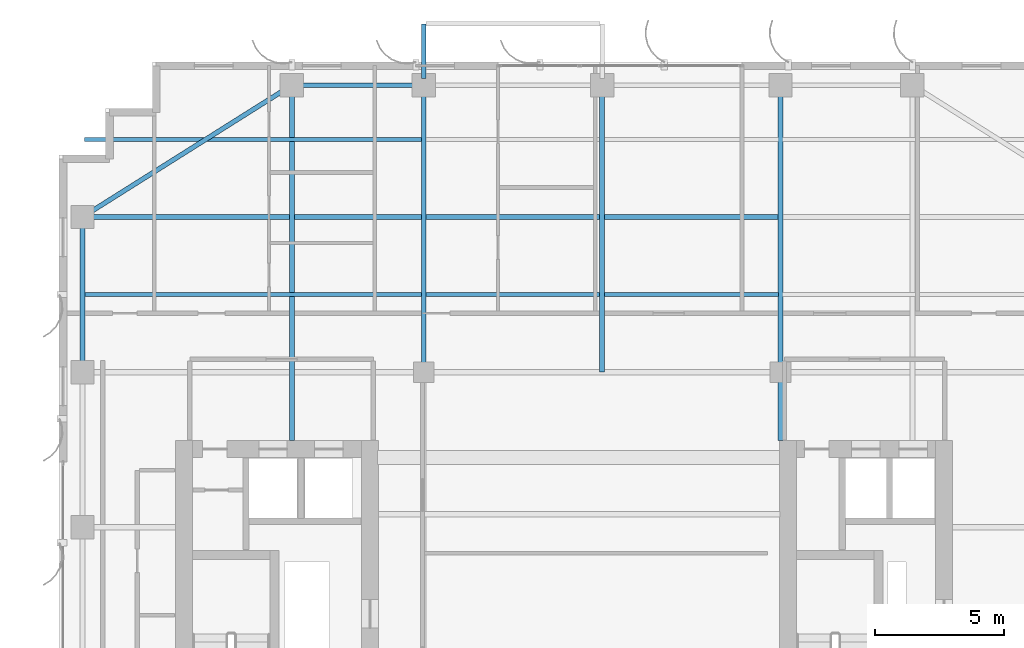
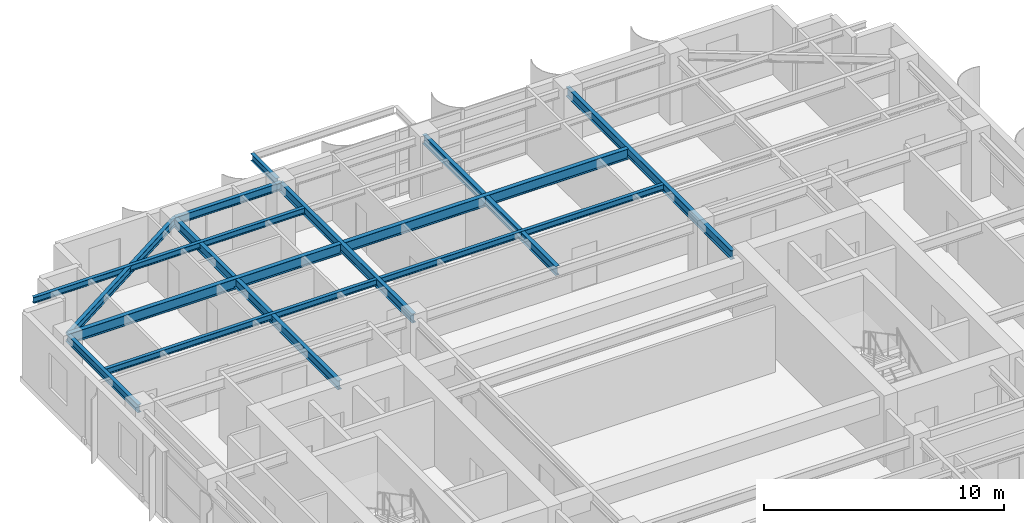
# One storey, part 11 of 21: 13 beams.
"""IFC4 building model written with IfcOpenShell, lengths in metres."""

from ifc_helpers import new_model, si_unit, direction, frame, origin, origin_2d, place, context, subcontext, project, spatial, i_section, extrude, source, transform, mapped, material, material_profile, profile_set, type_object, element, save


model = new_model("IFC4")

# Units and contexts
model_context = context("Model", 3, precision=1e-05, world=origin(), true_north=direction((0.0, 1.0)))
body_context = subcontext(model_context, "Body", "Model", "MODEL_VIEW")
ifc_project = project(units=[si_unit("LENGTHUNIT", "METRE"), si_unit("AREAUNIT", "SQUARE_METRE"), si_unit("VOLUMEUNIT", "CUBIC_METRE"), si_unit("PLANEANGLEUNIT", "RADIAN"), si_unit("MASSUNIT", "GRAM", prefix="KILO")], contexts=[model_context])

# Site, building, storey
site_placement = place(None, origin())
site = spatial("IfcSite", under=ifc_project, at=site_placement, CompositionType="ELEMENT")
building_placement = place(site_placement, origin())
building = spatial("IfcBuilding", under=site, at=building_placement, Name="Khoralis Quay Care Tower", CompositionType="ELEMENT")
storey_placement = place(building_placement, frame((0.0, 0.0, 159.300048828125)))
storey = spatial("IfcBuildingStorey", under=building, at=storey_placement, Name="L41", CompositionType="ELEMENT", Elevation=159.300048828125)

# Beams
ifc_material = material(Name="Steel S355", Category="steel")
ifc_material_profile_1 = material_profile(ifc_material, i_section(OverallWidth=0.179931640625, OverallDepth=0.39990234375, WebThickness=0.008544921875, FlangeThickness=0.013427734375, FilletRadius=0.02099609375, at=origin_2d()), Name="Steel S355")
ifc_profile_set_1 = profile_set([ifc_material_profile_1], Name="Steel S355")
beam_type_1 = type_object("IfcBeamType", Name="BM-IPE400", PredefinedType="SPANDREL", material=ifc_profile_set_1)
shared_shape_1 = source(origin(), body_context, "Body", "SweptSolid", [
    extrude(i_section(OverallWidth=0.179931640625, OverallDepth=0.39990234375, WebThickness=0.008544921875, FlangeThickness=0.013427734375, FilletRadius=0.02099609375, at=origin_2d()), origin(), (0.0, 0.0, 1.0), 6.0),
])
beam_1_placement = place(storey_placement, frame((3.89990234375, 30.0, 3.139892578125), z_axis=(0.0, 1.0, 0.0), x_axis=(-1.0, 0.0, 0.0)))
element("IfcBeam", 1, at=beam_1_placement, inside=storey, type_object=beam_type_1, Name="BM-TSP-L41-13", PredefinedType="SPANDREL", context=body_context, shape_type="MappedRepresentation", body=[
    mapped(shared_shape_1, transform((0.0, 0.0, 0.0), scale=1.0)),
])
shared_shape_2 = source(origin(), body_context, "Body", "SweptSolid", [
    extrude(i_section(OverallWidth=0.179931640625, OverallDepth=0.39990234375, WebThickness=0.008544921875, FlangeThickness=0.013427734375, FilletRadius=0.02099609375, at=origin_2d()), origin(), (0.0, 0.0, 1.0), 5.10009765625),
])
beam_2_placement = place(storey_placement, frame((12.0, 41.10009765625, 3.139892578125), z_axis=(1.0, 0.0, 0.0), x_axis=(0.0, 1.0, 0.0)))
element("IfcBeam", 2, at=beam_2_placement, inside=storey, type_object=beam_type_1, Name="BM-TSP-L41-05", PredefinedType="SPANDREL", context=body_context, shape_type="MappedRepresentation", body=[
    mapped(shared_shape_2, transform((0.0, 0.0, 0.0), scale=1.0)),
])
shared_shape_3 = source(origin(), body_context, "Body", "SweptSolid", [
    extrude(i_section(OverallWidth=0.179931640625, OverallDepth=0.39990234375, WebThickness=0.008544921875, FlangeThickness=0.013427734375, FilletRadius=0.02099609375, at=origin_2d()), origin(), (0.0, 0.0, 1.0), 9.572021484375),
])
beam_3_placement = place(storey_placement, frame((12.0, 41.10009765625, 3.139892578125), z_axis=(-0.846231136359, -0.532815975602, 0.0), x_axis=(0.532815975602, -0.846231136359, 0.0)))
element("IfcBeam", 3, at=beam_3_placement, inside=storey, type_object=beam_type_1, Name="BM-TCR-L41-21", PredefinedType="SPANDREL", context=body_context, shape_type="MappedRepresentation", body=[
    mapped(shared_shape_3, transform((0.0, 0.0, 0.0), scale=1.0)),
])
ifc_material_profile_2 = material_profile(ifc_material, i_section(OverallWidth=0.208984375, OverallDepth=0.532958984375, WebThickness=0.01025390625, FlangeThickness=0.015625, FilletRadius=0.01611328125, at=origin_2d()), Name="Steel S355")
ifc_profile_set_2 = profile_set([ifc_material_profile_2], Name="Steel S355")
beam_type_2 = type_object("IfcBeamType", Name="BM-W530X92", PredefinedType="BEAM", material=ifc_profile_set_2)
shared_shape_4 = source(origin(), body_context, "Body", "SweptSolid", [
    extrude(i_section(OverallWidth=0.208984375, OverallDepth=0.532958984375, WebThickness=0.01025390625, FlangeThickness=0.015625, FilletRadius=0.01611328125, at=origin_2d()), origin(), (0.0, 0.0, 1.0), 13.1162109375),
])
beam_4_placement = place(storey_placement, frame((3.89990234375, 36.0, 3.073486328125), z_axis=(1.0, 0.0, 0.0), x_axis=(0.0, 1.0, 0.0)))
element("IfcBeam", 4, at=beam_4_placement, inside=storey, type_object=beam_type_2, Name="BM-TGXW-L41-360", PredefinedType="BEAM", context=body_context, shape_type="MappedRepresentation", body=[
    mapped(shared_shape_4, transform((0.0, 0.0, 0.0), scale=1.0)),
])
shared_shape_5 = source(origin(), body_context, "Body", "SweptSolid", [
    extrude(i_section(OverallWidth=0.208984375, OverallDepth=0.532958984375, WebThickness=0.01025390625, FlangeThickness=0.015625, FilletRadius=0.01611328125, at=origin_2d()), origin(), (0.0, 0.0, 1.0), 13.6318359375),
])
beam_5_placement = place(storey_placement, frame((17.18408203125, 36.0, 3.073486328125), z_axis=(1.0, 0.0, 0.0), x_axis=(0.0, 1.0, 0.0)))
element("IfcBeam", 5, at=beam_5_placement, inside=storey, type_object=beam_type_2, Name="BM-TGCC-L41-360", PredefinedType="BEAM", context=body_context, shape_type="MappedRepresentation", body=[
    mapped(shared_shape_5, transform((0.0, 0.0, 0.0), scale=1.0)),
])
ifc_material_profile_3 = material_profile(ifc_material, i_section(OverallWidth=0.19189453125, OverallDepth=0.462890625, WebThickness=0.010498046875, FlangeThickness=0.017578125, FilletRadius=0.014892578125, at=origin_2d()), Name="Steel S355")
ifc_profile_set_3 = profile_set([ifc_material_profile_3], Name="Steel S355")
beam_type_3 = type_object("IfcBeamType", Name="BM-W460X89", PredefinedType="BEAM", material=ifc_profile_set_3)
shared_shape_6 = source(origin(), body_context, "Body", "SweptSolid", [
    extrude(i_section(OverallWidth=0.19189453125, OverallDepth=0.462890625, WebThickness=0.010498046875, FlangeThickness=0.017578125, FilletRadius=0.014892578125, at=origin_2d()), origin(), (0.0, 0.0, 1.0), 11.10009765625),
])
for number, where, z_axis, x_axis, name in (
    (6, (17.10009765625, 30.0, 3.1083984375), (0.0, 1.0, 0.0), (-1.0, 0.0, 0.0), "BM-TGYN-L41-171"),
    (7, (24.0, 30.0, 3.1083984375), (0.0, 1.0, 0.0), (-1.0, 0.0, 0.0), "BM-TGYN-L41-240"),
):
    element("IfcBeam", number, at=place(storey_placement, frame(where, z_axis=z_axis, x_axis=x_axis)), inside=storey, type_object=beam_type_3, Name=name, PredefinedType="BEAM", context=body_context, shape_type="MappedRepresentation", body=[
        mapped(shared_shape_6, transform((0.0, 0.0, 0.0), scale=1.0)),
    ])
shared_shape_7 = source(origin(), body_context, "Body", "SweptSolid", [
    extrude(i_section(OverallWidth=0.19189453125, OverallDepth=0.462890625, WebThickness=0.010498046875, FlangeThickness=0.017578125, FilletRadius=0.014892578125, at=origin_2d()), origin(), (0.0, 0.0, 1.0), 13.752197265625),
])
for number, where, z_axis, x_axis, name in (
    (8, (12.0, 27.347900390625, 3.1083984375), (0.0, 1.0, 0.0), (-1.0, 0.0, 0.0), "BM-TGYN-L41-120"),
    (9, (30.89990234375, 27.347900390625, 3.1083984375), (0.0, 1.0, 0.0), (-1.0, 0.0, 0.0), "BM-TGYN-L41-309"),
):
    element("IfcBeam", number, at=place(storey_placement, frame(where, z_axis=z_axis, x_axis=x_axis)), inside=storey, type_object=beam_type_3, Name=name, PredefinedType="BEAM", context=body_context, shape_type="MappedRepresentation", body=[
        mapped(shared_shape_7, transform((0.0, 0.0, 0.0), scale=1.0)),
    ])
ifc_material_profile_4 = material_profile(ifc_material, i_section(OverallWidth=0.1650390625, OverallDepth=0.31005859375, WebThickness=0.005859375, FlangeThickness=0.009765625, FilletRadius=0.011962890625, at=origin_2d()), Name="Steel S355")
ifc_profile_set_4 = profile_set([ifc_material_profile_4], Name="Steel S355")
beam_type_4 = type_object("IfcBeamType", Name="BM-W310X39", PredefinedType="JOIST", material=ifc_profile_set_4)
shared_shape_8 = source(origin(), body_context, "Body", "SweptSolid", [
    extrude(i_section(OverallWidth=0.1650390625, OverallDepth=0.31005859375, WebThickness=0.005859375, FlangeThickness=0.009765625, FilletRadius=0.011962890625, at=origin_2d()), origin(), (0.0, 0.0, 1.0), 13.0400390625),
])
for number, where, z_axis, x_axis, name in (
    (10, (3.97607421875, 33.0, 3.18505859375), (1.0, 0.0, 0.0), (0.0, 1.0, 0.0), "BM-TJS-L41-26"),
    (11, (3.97607421875, 39.0, 3.18505859375), (1.0, 0.0, 0.0), (0.0, 1.0, 0.0), "BM-TJS-L41-29"),
):
    element("IfcBeam", number, at=place(storey_placement, frame(where, z_axis=z_axis, x_axis=x_axis)), inside=storey, type_object=beam_type_4, Name=name, PredefinedType="JOIST", context=body_context, shape_type="MappedRepresentation", body=[
        mapped(shared_shape_8, transform((0.0, 0.0, 0.0), scale=1.0)),
    ])
shared_shape_9 = source(origin(), body_context, "Body", "SweptSolid", [
    extrude(i_section(OverallWidth=0.1650390625, OverallDepth=0.31005859375, WebThickness=0.005859375, FlangeThickness=0.009765625, FilletRadius=0.011962890625, at=origin_2d()), origin(), (0.0, 0.0, 1.0), 13.6318359375),
])
beam_6_placement = place(storey_placement, frame((17.18408203125, 33.0, 3.18505859375), z_axis=(1.0, 0.0, 0.0), x_axis=(0.0, 1.0, 0.0)))
element("IfcBeam", 12, at=beam_6_placement, inside=storey, type_object=beam_type_4, Name="BM-TJS-L41-28", PredefinedType="JOIST", context=body_context, shape_type="MappedRepresentation", body=[
    mapped(shared_shape_9, transform((0.0, 0.0, 0.0), scale=1.0)),
])
ifc_material_profile_5 = material_profile(ifc_material, i_section(OverallWidth=0.169921875, OverallDepth=0.360107421875, WebThickness=0.008056640625, FlangeThickness=0.0126953125, FilletRadius=0.01806640625, at=origin_2d()), Name="Steel S355")
ifc_profile_set_5 = profile_set([ifc_material_profile_5], Name="Steel S355")
beam_type_5 = type_object("IfcBeamType", Name="BM-IPE360", PredefinedType="SPANDREL", material=ifc_profile_set_5)
shared_shape_10 = source(origin(), body_context, "Body", "SweptSolid", [
    extrude(i_section(OverallWidth=0.169921875, OverallDepth=0.360107421875, WebThickness=0.008056640625, FlangeThickness=0.0126953125, FilletRadius=0.01806640625, at=origin_2d()), origin(), (0.0, 0.0, 1.0), 2.119873046875),
])
beam_7_placement = place(storey_placement, frame((17.10009765625, 41.35009765625, 3.1640625), z_axis=(0.0, 1.0, 0.0), x_axis=(-1.0, 0.0, 0.0)))
element("IfcBeam", 13, at=beam_7_placement, inside=storey, type_object=beam_type_5, Name="L42 Balcony Cantilever Outrigger Beam 1", PredefinedType="SPANDREL", context=body_context, shape_type="MappedRepresentation", body=[
    mapped(shared_shape_10, transform((0.0, 0.0, 0.0), scale=1.0)),
])

save(model, "model.ifc")
